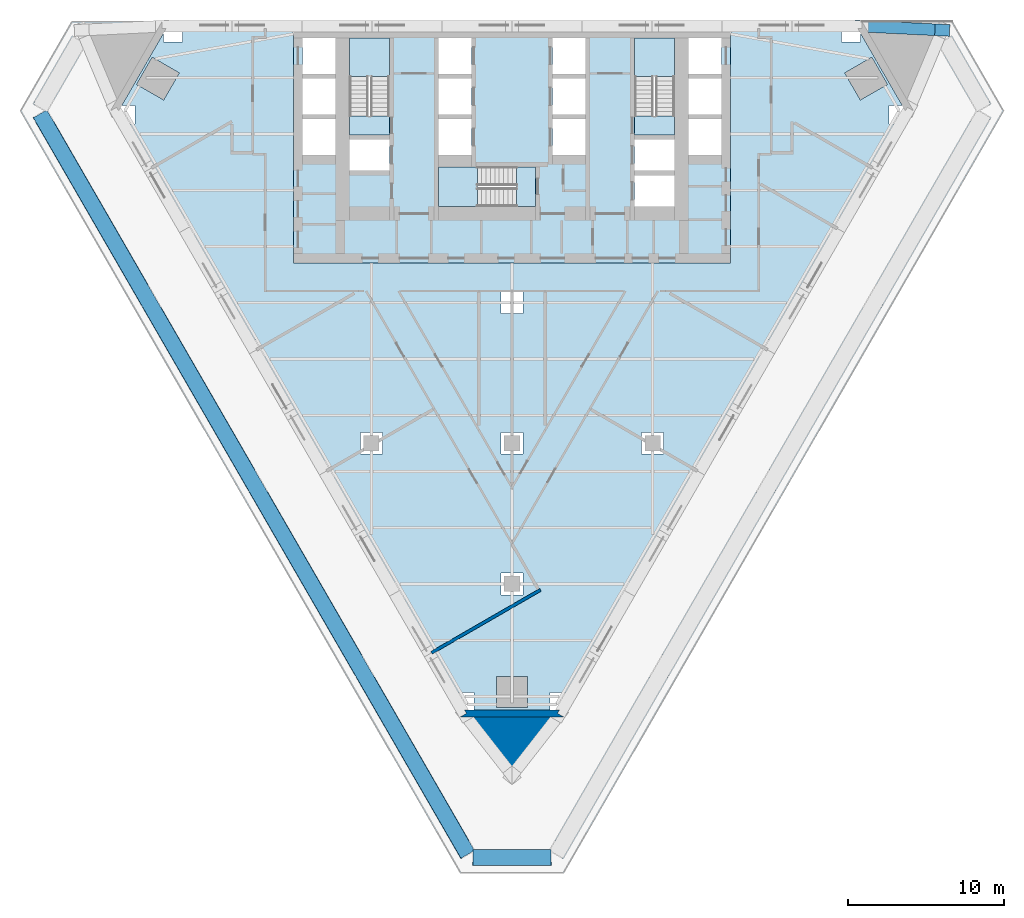
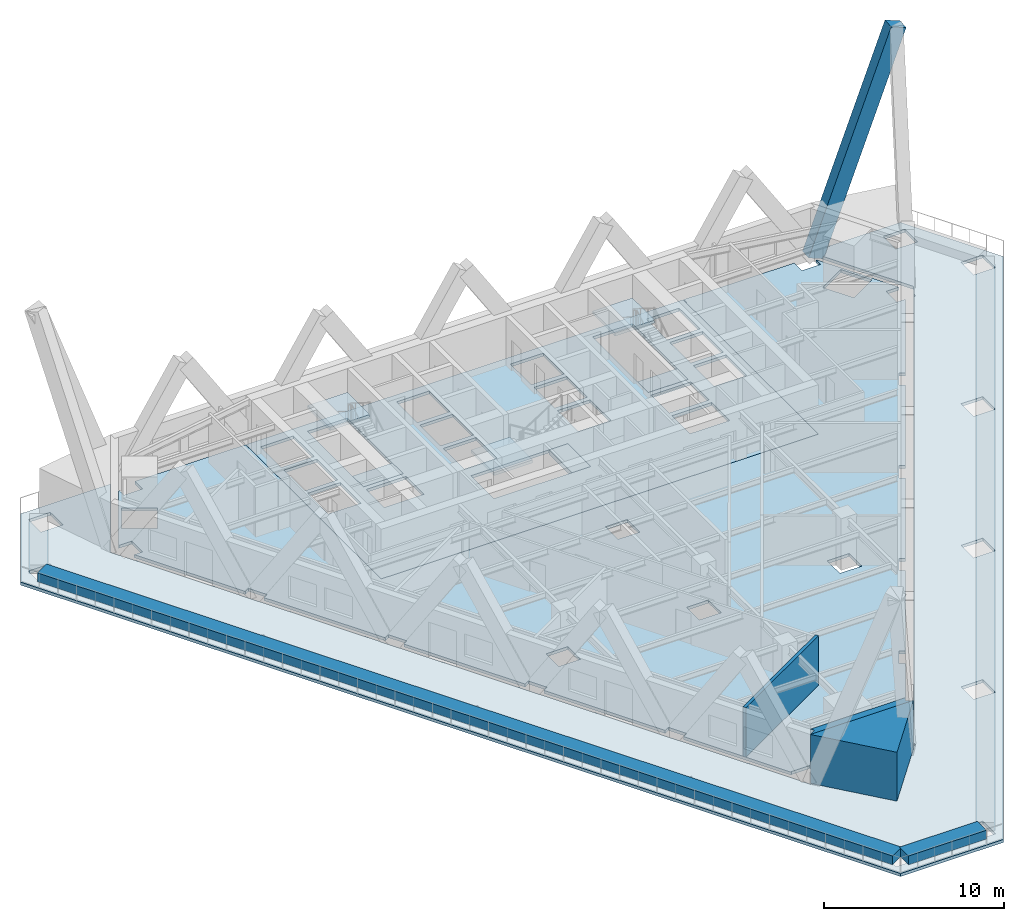
# One storey, part 2 of 11: 9 slabs, 5 walls, 1 member, 3 elements without a shape of their own.
"""IFC4 building model written with IfcOpenShell, lengths in metres."""

from ifc_helpers import new_model, si_unit, direction, frame, frame_2d, origin, origin_2d, place, context, subcontext, project, spatial, polyline, rectangle, outline, extrude, material, layer, layer_set, material_profile, profile_set, type_object, element, aggregate, save


model = new_model("IFC4")

# Units and contexts
model_context = context("Model", 3, precision=1e-05, world=origin(), true_north=direction((0.0, 1.0)))
body_context = subcontext(model_context, "Body", "Model", "MODEL_VIEW")
ifc_project = project(units=[si_unit("LENGTHUNIT", "METRE"), si_unit("AREAUNIT", "SQUARE_METRE"), si_unit("VOLUMEUNIT", "CUBIC_METRE"), si_unit("PLANEANGLEUNIT", "RADIAN"), si_unit("MASSUNIT", "GRAM", prefix="KILO")], contexts=[model_context])

# Site, building, storey
site_placement = place(None, origin())
site = spatial("IfcSite", under=ifc_project, at=site_placement, CompositionType="ELEMENT")
building_placement = place(site_placement, origin())
building = spatial("IfcBuilding", under=site, at=building_placement, Name="Aloe Facet Convention Tower", CompositionType="ELEMENT")
storey_placement = place(building_placement, frame((0.0, 0.0, 35.0)))
storey = spatial("IfcBuildingStorey", under=building, at=storey_placement, Name="L06", CompositionType="ELEMENT", Elevation=35.0)

# Member
ifc_material_1 = material(Name="Concrete C60/75, bronze oxide finish", Category="concrete")
ifc_material_profile = material_profile(ifc_material_1, rectangle(XDim=0.75, YDim=1.0, at=origin_2d()), Name="STW-LM")
ifc_profile_set = profile_set([ifc_material_profile], Name="Concrete C60/75, bronze oxide finish")
member_type = type_object("IfcMemberType", Name="STW-LM", PredefinedType="BRACE", material=ifc_profile_set)
member_placement = place(storey_placement, frame((102.39990234375, 134.699951171875, 0.0), z_axis=(0.344709473598, -0.016727272305, 0.938560374815), x_axis=(0.048468678903, 0.998824702921, 0.0)))
element("IfcMember", 1, at=member_placement, inside=storey, type_object=member_type, Name="Lattice member LM-Z1-F6-R0-03", PredefinedType="BRACE", context=body_context, shape_type="SweptSolid", body=[
    extrude(rectangle(XDim=0.75, YDim=1.0, at=origin_2d()), origin(), (0.0, 0.0, 1.0), 14.91650390625),
])

# Slabs
ifc_material_2 = material(Name="Concrete C80/95", Category="concrete")
ifc_layer_1 = layer(ifc_material_2, 0.199951171875)
ifc_layer_set_1 = layer_set([ifc_layer_1], Name="CR-S-FLOOR200-C8095")
slab_type_1 = type_object("IfcSlabType", Name="CR-S-FLOOR200-C8095", PredefinedType="FLOOR", material=ifc_layer_set_1)
slab_1_placement = place(storey_placement, frame((0.0, 0.0, -0.199951171875)))
element("IfcSlab", 2, at=slab_1_placement, inside=storey, type_object=slab_type_1, Name="Core floor L06", PredefinedType="FLOOR", context=body_context, shape_type="SweptSolid", body=[
    extrude(outline(polyline([(69.300048828125, 134.550048828125), (71.85009765625, 134.550048828125), (72.75, 134.550048828125), (74.699951171875, 134.550048828125), (75.60009765625, 134.550048828125), (77.10009765625, 134.550048828125), (78.0, 134.550048828125), (82.0, 134.550048828125), (82.89990234375, 134.550048828125), (84.39990234375, 134.550048828125), (85.300048828125, 134.550048828125), (87.25, 134.550048828125), (88.14990234375, 134.550048828125), (90.699951171875, 134.550048828125), (91.0, 134.550048828125), (94.0, 134.550048828125), (94.0, 131.949951171875), (94.0, 131.050048828125), (94.0, 129.35009765625), (94.0, 128.449951171875), (94.0, 126.449951171875), (94.0, 125.85009765625), (94.0, 124.9736328125), (94.0, 123.923583984375), (94.0, 122.834228515625), (94.0, 121.7841796875), (94.0, 119.550048828125), (91.300048828125, 119.550048828125), (90.699951171875, 119.550048828125), (89.60009765625, 119.550048828125), (88.550048828125, 119.550048828125), (87.89990234375, 119.550048828125), (86.85009765625, 119.550048828125), (85.699951171875, 119.550048828125), (84.64990234375, 119.550048828125), (83.699951171875, 119.550048828125), (82.64990234375, 119.550048828125), (81.75, 119.550048828125), (80.699951171875, 119.550048828125), (78.550048828125, 119.550048828125), (77.5, 119.550048828125), (75.35009765625, 119.550048828125), (74.300048828125, 119.550048828125), (73.14990234375, 119.550048828125), (72.10009765625, 119.550048828125), (69.300048828125, 119.550048828125), (66.0, 119.550048828125), (66.0, 121.5), (66.0, 122.550048828125), (66.0, 123.449951171875), (66.0, 124.5), (66.0, 125.85009765625), (66.0, 126.449951171875), (66.0, 128.449951171875), (66.0, 129.35009765625), (66.0, 131.050048828125), (66.0, 131.949951171875), (66.0, 134.550048828125), (69.0, 134.550048828125), (69.300048828125, 134.550048828125)]), holes=[polyline([(75.300048828125, 123.14990234375), (80.298828125, 123.14990234375), (81.5, 123.14990234375), (81.5, 125.699951171875), (80.298828125, 125.699951171875), (75.300048828125, 125.699951171875), (75.300048828125, 123.14990234375)]), polyline([(69.60009765625, 125.449951171875), (72.14990234375, 125.449951171875), (72.14990234375, 127.449951171875), (69.60009765625, 127.449951171875), (69.60009765625, 125.449951171875)]), polyline([(66.60009765625, 126.449951171875), (68.699951171875, 126.449951171875), (68.699951171875, 128.75), (66.60009765625, 128.75), (66.60009765625, 126.449951171875)]), polyline([(75.300048828125, 126.449951171875), (77.39990234375, 126.449951171875), (77.39990234375, 128.75), (75.300048828125, 128.75), (75.300048828125, 126.449951171875)]), polyline([(66.60009765625, 129.050048828125), (68.699951171875, 129.050048828125), (68.699951171875, 131.35009765625), (66.60009765625, 131.35009765625), (66.60009765625, 129.050048828125)]), polyline([(75.300048828125, 129.050048828125), (77.39990234375, 129.050048828125), (77.39990234375, 131.35009765625), (75.300048828125, 131.35009765625), (75.300048828125, 129.050048828125)]), polyline([(69.60009765625, 133.949951171875), (69.60009765625, 128.951171875), (69.60009765625, 127.75), (72.14990234375, 127.75), (72.14990234375, 128.951171875), (72.14990234375, 133.949951171875), (69.60009765625, 133.949951171875)]), polyline([(66.60009765625, 133.949951171875), (66.60009765625, 131.64990234375), (68.699951171875, 131.64990234375), (68.699951171875, 133.949951171875), (66.60009765625, 133.949951171875)]), polyline([(75.300048828125, 133.949951171875), (75.300048828125, 131.64990234375), (77.39990234375, 131.64990234375), (77.39990234375, 133.949951171875), (75.300048828125, 133.949951171875)]), polyline([(87.85009765625, 123.14990234375), (90.39990234375, 123.14990234375), (90.39990234375, 125.14990234375), (87.85009765625, 125.14990234375), (87.85009765625, 123.14990234375)]), polyline([(87.85009765625, 125.449951171875), (90.39990234375, 125.449951171875), (90.39990234375, 127.449951171875), (87.85009765625, 127.449951171875), (87.85009765625, 125.449951171875)]), polyline([(82.60009765625, 126.449951171875), (84.699951171875, 126.449951171875), (84.699951171875, 128.75), (82.60009765625, 128.75), (82.60009765625, 126.449951171875)]), polyline([(91.300048828125, 126.449951171875), (93.39990234375, 126.449951171875), (93.39990234375, 128.75), (91.300048828125, 128.75), (91.300048828125, 126.449951171875)]), polyline([(82.60009765625, 129.050048828125), (84.699951171875, 129.050048828125), (84.699951171875, 131.35009765625), (82.60009765625, 131.35009765625), (82.60009765625, 129.050048828125)]), polyline([(91.300048828125, 129.050048828125), (93.39990234375, 129.050048828125), (93.39990234375, 131.35009765625), (91.300048828125, 131.35009765625), (91.300048828125, 129.050048828125)]), polyline([(87.85009765625, 133.949951171875), (87.85009765625, 128.951171875), (87.85009765625, 127.75), (90.39990234375, 127.75), (90.39990234375, 128.951171875), (90.39990234375, 133.949951171875), (87.85009765625, 133.949951171875)]), polyline([(82.60009765625, 133.949951171875), (82.60009765625, 131.64990234375), (84.699951171875, 131.64990234375), (84.699951171875, 133.949951171875), (82.60009765625, 133.949951171875)]), polyline([(91.300048828125, 133.949951171875), (91.300048828125, 131.64990234375), (93.39990234375, 131.64990234375), (93.39990234375, 133.949951171875), (91.300048828125, 133.949951171875)])]), origin(), (0.0, 0.0, 1.0), 0.199951171875),
])
ifc_material_3 = material(Name="Concrete C80/95", Category="concrete")
ifc_layer_2 = layer(ifc_material_3, 0.300048828125)
ifc_layer_set_2 = layer_set([ifc_layer_2], Name="CR-S-FLOOR300-C8095")
slab_type_2 = type_object("IfcSlabType", Name="CR-S-FLOOR300-C8095", PredefinedType="FLOOR", material=ifc_layer_set_2)
slab_2_placement = place(storey_placement, frame((0.0, 0.0, -0.300048828125)))
element("IfcSlab", 3, at=slab_2_placement, inside=storey, type_object=slab_type_2, Name="Stair landing floor L06", PredefinedType="FLOOR", context=body_context, shape_type="SweptSolid", body=[
    extrude(outline(polyline([(72.14990234375, 127.75), (72.14990234375, 128.951171875), (69.60009765625, 128.951171875), (69.60009765625, 127.75), (72.14990234375, 127.75)])), origin(), (0.0, 0.0, 1.0), 0.300048828125),
])
slab_3_placement = place(storey_placement, frame((0.0, 0.0, -0.300048828125)))
element("IfcSlab", 4, at=slab_3_placement, inside=storey, type_object=slab_type_2, Name="Stair landing floor L06", PredefinedType="FLOOR", context=body_context, shape_type="SweptSolid", body=[
    extrude(outline(polyline([(90.39990234375, 127.75), (90.39990234375, 128.951171875), (87.85009765625, 128.951171875), (87.85009765625, 127.75), (90.39990234375, 127.75)])), origin(), (0.0, 0.0, 1.0), 0.300048828125),
])
slab_4_placement = place(storey_placement, frame((0.0, 0.0, -0.300048828125)))
element("IfcSlab", 5, at=slab_4_placement, inside=storey, type_object=slab_type_2, Name="Stair landing floor L06", PredefinedType="FLOOR", context=body_context, shape_type="SweptSolid", body=[
    extrude(outline(polyline([(81.5, 125.699951171875), (80.298828125, 125.699951171875), (80.298828125, 123.14990234375), (81.5, 123.14990234375), (81.5, 125.699951171875)])), origin(), (0.0, 0.0, 1.0), 0.300048828125),
])

# Stair, slab
ifc_material_4 = material(Name="Concrete C50/60", Category="concrete")
stair_type = type_object("IfcStairType", Name="CR-ST-20R", PredefinedType="HALF_TURN_STAIR", material=ifc_material_4)
stair_1_placement = place(storey_placement, origin())
stair_1 = element("IfcStair", 6, at=stair_1_placement, inside=storey, type_object=stair_type, Name="L06 Protected exit stair ST1", PredefinedType="HALF_TURN_STAIR")
ifc_material_5 = material(Name="Concrete C50/60", Category="concrete")
ifc_layer_3 = layer(ifc_material_5, 0.199951171875)
ifc_layer_set_3 = layer_set([ifc_layer_3], Name="CR-SL-LANDING")
slab_type_3 = type_object("IfcSlabType", Name="CR-SL-LANDING", PredefinedType="LANDING", material=ifc_layer_set_3)
slab_5_placement = place(storey_placement, frame((0.0, 0.0, 1.550048828125)))
slab_5 = element("IfcSlab", 7, at=slab_5_placement, type_object=slab_type_3, Name="ST1 landing 1", PredefinedType="LANDING", context=body_context, shape_type="SweptSolid", body=[
    extrude(outline(polyline([(72.14990234375, 131.469970703125), (72.14990234375, 133.949951171875), (69.60009765625, 133.949951171875), (69.60009765625, 131.469970703125), (72.14990234375, 131.469970703125)])), origin(), (0.0, 0.0, 1.0), 0.199951171875),
])
aggregate(stair_1, [slab_5])

stair_2_placement = place(storey_placement, origin())
stair_2 = element("IfcStair", 8, at=stair_2_placement, inside=storey, type_object=stair_type, Name="L06 Protected exit stair ST2", PredefinedType="HALF_TURN_STAIR")
slab_6_placement = place(storey_placement, frame((0.0, 0.0, 1.550048828125)))
slab_6 = element("IfcSlab", 9, at=slab_6_placement, type_object=slab_type_3, Name="ST2 landing 1", PredefinedType="LANDING", context=body_context, shape_type="SweptSolid", body=[
    extrude(outline(polyline([(90.39990234375, 131.469970703125), (90.39990234375, 133.949951171875), (87.85009765625, 133.949951171875), (87.85009765625, 131.469970703125), (90.39990234375, 131.469970703125)])), origin(), (0.0, 0.0, 1.0), 0.199951171875),
])
aggregate(stair_2, [slab_6])

stair_3_placement = place(storey_placement, origin())
stair_3 = element("IfcStair", 10, at=stair_3_placement, inside=storey, type_object=stair_type, Name="L06 Protected exit stair ST3", PredefinedType="HALF_TURN_STAIR")
slab_7_placement = place(storey_placement, frame((0.0, 0.0, 1.550048828125)))
slab_7 = element("IfcSlab", 11, at=slab_7_placement, type_object=slab_type_3, Name="ST3 landing 1", PredefinedType="LANDING", context=body_context, shape_type="SweptSolid", body=[
    extrude(outline(polyline([(77.780029296875, 125.699951171875), (75.300048828125, 125.699951171875), (75.300048828125, 123.14990234375), (77.780029296875, 123.14990234375), (77.780029296875, 125.699951171875)])), origin(), (0.0, 0.0, 1.0), 0.199951171875),
])
aggregate(stair_3, [slab_7])

# Slabs
ifc_material_6 = material(Name="Concrete C35/45", Category="concrete")
ifc_layer_4 = layer(ifc_material_6, 0.199951171875)
ifc_layer_set_4 = layer_set([ifc_layer_4], Name="SF-FS-200")
slab_type_4 = type_object("IfcSlabType", Name="SF-FS-200", PredefinedType="FLOOR", material=ifc_layer_set_4)
slab_8_placement = place(storey_placement, frame((0.0, 0.0, -0.199951171875)))
element("IfcSlab", 12, at=slab_8_placement, inside=storey, type_object=slab_type_4, Name="Floor slab L06-1", PredefinedType="FLOOR", context=body_context, shape_type="SweptSolid", body=[
    extrude(outline(polyline([(104.978271484375, 129.63427734375), (104.974609375, 129.6279296875), (104.143798828125, 129.6279296875), (104.143798828125, 128.427978515625), (104.68603515625, 128.427978515625), (101.127197265625, 122.263671875), (100.823974609375, 122.438720703125), (100.527099609375, 121.924560546875), (100.23046875, 121.410400390625), (100.533447265625, 121.235595703125), (96.647216796875, 114.504150390625), (96.343994140625, 114.67919921875), (96.047119140625, 114.1650390625), (95.75048828125, 113.65087890625), (96.053466796875, 113.47607421875), (92.1669921875, 106.74462890625), (91.864013671875, 106.919677734375), (91.567138671875, 106.405517578125), (91.2705078125, 105.891357421875), (91.573486328125, 105.71630859375), (87.68701171875, 98.985107421875), (87.384033203125, 99.159912109375), (87.087158203125, 98.64599609375), (86.790283203125, 98.1318359375), (87.093505859375, 97.956787109375), (83.643798828125, 91.981689453125), (83.643798828125, 92.04248046875), (82.44384765625, 92.04248046875), (82.44384765625, 90.936279296875), (77.55615234375, 90.936279296875), (77.55615234375, 92.04248046875), (76.356201171875, 92.04248046875), (76.356201171875, 91.981689453125), (72.906494140625, 97.956787109375), (73.209716796875, 98.1318359375), (72.912841796875, 98.64599609375), (72.615966796875, 99.159912109375), (72.31298828125, 98.985107421875), (68.426513671875, 105.71630859375), (68.7294921875, 105.891357421875), (68.432861328125, 106.405517578125), (68.135986328125, 106.919677734375), (67.8330078125, 106.74462890625), (63.946533203125, 113.47607421875), (64.24951171875, 113.65087890625), (63.952880859375, 114.1650390625), (63.656005859375, 114.67919921875), (63.352783203125, 114.504150390625), (59.466552734375, 121.235595703125), (59.76953125, 121.410400390625), (59.472900390625, 121.924560546875), (59.176025390625, 122.438720703125), (58.872802734375, 122.263671875), (55.31396484375, 128.427978515625), (55.856201171875, 128.427978515625), (55.856201171875, 129.6279296875), (55.025390625, 129.6279296875), (55.021728515625, 129.63427734375), (57.65771484375, 134.199951171875), (57.699951171875, 134.199951171875), (57.699951171875, 133.699951171875), (58.89990234375, 133.699951171875), (58.89990234375, 134.550048828125), (65.96630859375, 134.550048828125), (65.96630859375, 134.199951171875), (66.0, 134.199951171875), (66.0, 131.949951171875), (66.0, 131.050048828125), (66.0, 129.35009765625), (66.0, 128.449951171875), (66.0, 126.449951171875), (66.0, 125.85009765625), (66.0, 124.5), (66.0, 123.449951171875), (66.0, 122.550048828125), (66.0, 121.5), (66.0, 119.550048828125), (69.300048828125, 119.550048828125), (72.10009765625, 119.550048828125), (73.14990234375, 119.550048828125), (74.300048828125, 119.550048828125), (75.35009765625, 119.550048828125), (77.5, 119.550048828125), (78.550048828125, 119.550048828125), (80.699951171875, 119.550048828125), (81.75, 119.550048828125), (82.64990234375, 119.550048828125), (83.699951171875, 119.550048828125), (84.64990234375, 119.550048828125), (85.699951171875, 119.550048828125), (86.85009765625, 119.550048828125), (87.89990234375, 119.550048828125), (88.550048828125, 119.550048828125), (89.60009765625, 119.550048828125), (90.699951171875, 119.550048828125), (91.300048828125, 119.550048828125), (94.0, 119.550048828125), (94.0, 121.7841796875), (94.0, 122.834228515625), (94.0, 123.923583984375), (94.0, 124.9736328125), (94.0, 125.85009765625), (94.0, 126.449951171875), (94.0, 128.449951171875), (94.0, 129.35009765625), (94.0, 131.050048828125), (94.0, 131.949951171875), (94.0, 134.199951171875), (94.03369140625, 134.199951171875), (94.03369140625, 134.550048828125), (101.10009765625, 134.550048828125), (101.10009765625, 133.699951171875), (102.300048828125, 133.699951171875), (102.300048828125, 134.199951171875), (102.34228515625, 134.199951171875), (104.978271484375, 129.63427734375)]), holes=[polyline([(70.300048828125, 107.300048828125), (71.699951171875, 107.300048828125), (71.699951171875, 108.699951171875), (70.300048828125, 108.699951171875), (70.300048828125, 107.300048828125)]), polyline([(58.70166015625, 131.7080078125), (56.969482421875, 132.7080078125), (55.969482421875, 130.97607421875), (57.70166015625, 129.97607421875), (58.70166015625, 131.7080078125)]), polyline([(79.0, 93.086181640625), (79.0, 91.086181640625), (81.0, 91.086181640625), (81.0, 93.086181640625), (79.0, 93.086181640625)]), polyline([(79.300048828125, 98.300048828125), (80.699951171875, 98.300048828125), (80.699951171875, 99.699951171875), (79.300048828125, 99.699951171875), (79.300048828125, 98.300048828125)]), polyline([(79.300048828125, 107.300048828125), (80.699951171875, 107.300048828125), (80.699951171875, 108.699951171875), (79.300048828125, 108.699951171875), (79.300048828125, 107.300048828125)]), polyline([(79.300048828125, 116.300048828125), (80.699951171875, 116.300048828125), (80.699951171875, 117.699951171875), (79.300048828125, 117.699951171875), (79.300048828125, 116.300048828125)]), polyline([(89.699951171875, 107.300048828125), (89.699951171875, 108.699951171875), (88.300048828125, 108.699951171875), (88.300048828125, 107.300048828125), (89.699951171875, 107.300048828125)]), polyline([(102.29833984375, 129.97607421875), (104.030517578125, 130.97607421875), (103.030517578125, 132.7080078125), (101.29833984375, 131.7080078125), (102.29833984375, 129.97607421875)])]), origin(), (0.0, 0.0, 1.0), 0.199951171875),
])
ifc_material_7 = material(Name="Concrete C35/45", Category="concrete")
ifc_layer_5 = layer(ifc_material_7, 0.199951171875)
ifc_layer_set_5 = layer_set([ifc_layer_5], Name="SF-TS-200")
slab_type_5 = type_object("IfcSlabType", Name="SF-TS-200", PredefinedType="FLOOR", material=ifc_layer_set_5)
slab_9_placement = place(storey_placement, frame((0.0, 0.0, -0.199951171875)))
element("IfcSlab", 13, at=slab_9_placement, inside=storey, type_object=slab_type_5, Name="Terrace slab PT-L06-1", PredefinedType="FLOOR", context=body_context, shape_type="SweptSolid", body=[
    extrude(outline(polyline([(111.473388671875, 129.2841796875), (83.300048828125, 80.486328125), (76.699951171875, 80.486328125), (48.526611328125, 129.2841796875), (51.826416015625, 135.0), (57.60009765625, 135.0), (54.300048828125, 129.2841796875), (54.65625, 128.667236328125), (54.65625, 128.427978515625), (54.794189453125, 128.427978515625), (76.356201171875, 91.081787109375), (76.356201171875, 90.842529296875), (76.494384765625, 90.842529296875), (76.699951171875, 90.486328125), (83.300048828125, 90.486328125), (83.505615234375, 90.842529296875), (83.643798828125, 90.842529296875), (83.643798828125, 91.081787109375), (105.205810546875, 128.427978515625), (105.34375, 128.427978515625), (105.34375, 128.667236328125), (105.699951171875, 129.2841796875), (102.39990234375, 135.0), (108.173583984375, 135.0), (111.473388671875, 129.2841796875)]), holes=[polyline([(78.2080078125, 82.5859375), (76.80810546875, 82.5859375), (76.80810546875, 81.18603515625), (78.2080078125, 81.18603515625), (78.2080078125, 82.5859375)]), polyline([(71.366943359375, 94.43603515625), (69.967041015625, 94.43603515625), (69.967041015625, 93.035888671875), (71.366943359375, 93.035888671875), (71.366943359375, 94.43603515625)]), polyline([(64.52587890625, 104.885009765625), (64.52587890625, 106.284912109375), (63.1259765625, 106.284912109375), (63.1259765625, 104.885009765625), (64.52587890625, 104.885009765625)]), polyline([(57.68408203125, 116.735107421875), (57.68408203125, 118.135009765625), (56.283935546875, 118.135009765625), (56.283935546875, 116.735107421875), (57.68408203125, 116.735107421875)]), polyline([(50.843017578125, 128.583984375), (50.843017578125, 129.98388671875), (49.443115234375, 129.98388671875), (49.443115234375, 128.583984375), (50.843017578125, 128.583984375)]), polyline([(53.3349609375, 132.89990234375), (53.3349609375, 134.300048828125), (51.93505859375, 134.300048828125), (51.93505859375, 132.89990234375), (53.3349609375, 132.89990234375)]), polyline([(83.19189453125, 81.18603515625), (83.19189453125, 82.5859375), (81.7919921875, 82.5859375), (81.7919921875, 81.18603515625), (83.19189453125, 81.18603515625)]), polyline([(90.032958984375, 94.43603515625), (88.633056640625, 94.43603515625), (88.633056640625, 93.035888671875), (90.032958984375, 93.035888671875), (90.032958984375, 94.43603515625)]), polyline([(96.8740234375, 104.885009765625), (96.8740234375, 106.284912109375), (95.47412109375, 106.284912109375), (95.47412109375, 104.885009765625), (96.8740234375, 104.885009765625)]), polyline([(103.716064453125, 116.735107421875), (103.716064453125, 118.135009765625), (102.31591796875, 118.135009765625), (102.31591796875, 116.735107421875), (103.716064453125, 116.735107421875)]), polyline([(110.556884765625, 129.98388671875), (109.156982421875, 129.98388671875), (109.156982421875, 128.583984375), (110.556884765625, 128.583984375), (110.556884765625, 129.98388671875)]), polyline([(108.06494140625, 132.89990234375), (108.06494140625, 134.300048828125), (106.6650390625, 134.300048828125), (106.6650390625, 132.89990234375), (108.06494140625, 132.89990234375)])]), origin(), (0.0, 0.0, 1.0), 0.199951171875),
])

# Walls
ifc_material_8 = material(Name="Precast concrete C40/50", Category="concrete")
ifc_layer_6 = layer(ifc_material_8, 1.0)
ifc_layer_set_6 = layer_set([ifc_layer_6], Name="EV-PLANTER-BED")
wall_type_1 = type_object("IfcWallType", Name="EV-PLANTER-BED", PredefinedType="STANDARD", material=ifc_layer_set_6)
wall_1_placement = place(storey_placement, frame((82.5, 81.486328125, 0.0), z_axis=(0.0, 0.0, 1.0), x_axis=(-1.0, 0.0, 0.0)))
element("IfcWall", 14, at=wall_1_placement, inside=storey, type_object=wall_type_1, Name="PLANTER PT-L06-1-3", PredefinedType="STANDARD", context=body_context, shape_type="SweptSolid", body=[
    extrude(rectangle(XDim=5.0, YDim=1.0, at=frame_2d((2.5, 0.0))), origin(), (0.0, 0.0, 1.0), 0.60009765625),
])
wall_2_placement = place(storey_placement, frame((77.166015625, 81.67919921875, 0.0), z_axis=(0.0, 0.0, 1.0), x_axis=(-0.500001932243, 0.8660242882, 0.0)))
element("IfcWall", 15, at=wall_2_placement, inside=storey, type_object=wall_type_1, Name="PLANTER PT-L06-1-4", PredefinedType="STANDARD", context=body_context, shape_type="SweptSolid", body=[
    extrude(rectangle(XDim=54.746826171875, YDim=1.0, at=frame_2d((27.37353515625, 0.0))), origin(), (0.0, 0.0, 1.0), 0.60009765625),
])
ifc_material_9 = material(Name="Precast concrete C40/50", Category="concrete")
ifc_layer_7 = layer(ifc_material_9, 0.449951171875)
ifc_layer_set_7 = layer_set([ifc_layer_7], Name="EV-WALL-PIER")
wall_type_2 = type_object("IfcWallType", Name="EV-WALL-PIER", PredefinedType="SOLIDWALL", material=ifc_layer_set_7)
wall_3_placement = place(storey_placement, frame((0.0, 0.0, -0.199951171875)))
element("IfcWall", 16, at=wall_3_placement, inside=storey, type_object=wall_type_2, Name="EP-L06-B", PredefinedType="SOLIDWALL", context=body_context, shape_type="SweptSolid", body=[
    extrude(outline(polyline([(76.699951171875, 90.486328125), (77.089599609375, 90.711181640625), (76.959716796875, 90.936279296875), (83.040283203125, 90.936279296875), (82.910400390625, 90.711181640625), (83.300048828125, 90.486328125), (76.699951171875, 90.486328125)])), origin(), (0.0, 0.0, 1.0), 3.550048828125),
])
ifc_material_10 = material(Name="Precast concrete C40/50", Category="concrete")
ifc_layer_8 = layer(ifc_material_10, 3.947998046875)
ifc_layer_set_8 = layer_set([ifc_layer_8], Name="EV-WALL-SPINE")
wall_type_3 = type_object("IfcWallType", Name="EV-WALL-SPINE", PredefinedType="SOLIDWALL", material=ifc_layer_set_8)
wall_4_placement = place(storey_placement, frame((0.0, 0.0, 0.0400390625)))
element("IfcWall", 17, at=wall_4_placement, inside=storey, type_object=wall_type_3, Name="SP-S-L06", PredefinedType="SOLIDWALL", context=body_context, shape_type="SweptSolid", body=[
    extrude(outline(polyline([(76.699951171875, 90.486328125), (80.0, 86.588134765625), (83.300048828125, 90.486328125), (76.699951171875, 90.486328125)])), origin(), (0.0, 0.0, 1.0), 3.31005859375),
])
ifc_material_11 = material(Name="Gypsum board partition on steel studs", Category="steel")
ifc_layer_9 = layer(ifc_material_11, 0.199951171875)
ifc_layer_set_9 = layer_set([ifc_layer_9], Name="IN-W-PARTY")
wall_type_4 = type_object("IfcWallType", Name="IN-W-PARTY", PredefinedType="PARTITIONING", material=ifc_layer_set_9)
wall_5_placement = place(storey_placement, frame((74.849609375, 94.591064453125, 0.0), z_axis=(0.0, 0.0, 1.0), x_axis=(0.866034066097, 0.499984996134, 0.0)))
element("IfcWall", 18, at=wall_5_placement, inside=storey, type_object=wall_type_4, Name="Partition L06-W001", PredefinedType="PARTITIONING", context=body_context, shape_type="SweptSolid", body=[
    extrude(rectangle(XDim=8.049560546875, YDim=0.199951171875, at=frame_2d((4.02490234375, 0.0))), origin(), (0.0, 0.0, 1.0), 3.35009765625),
])

save(model, "model.ifc")
